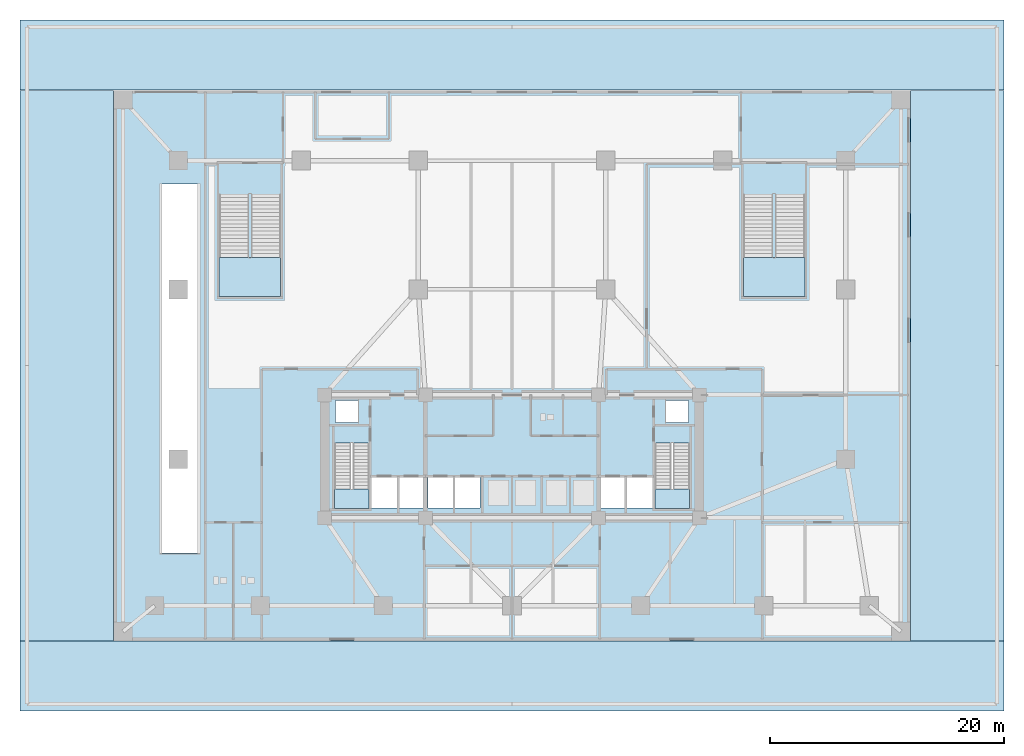
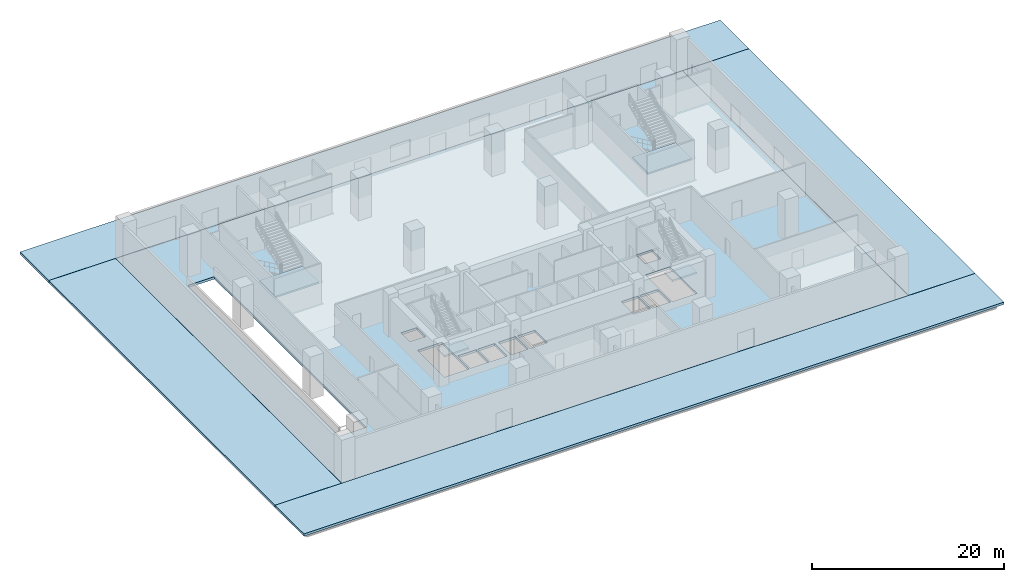
# One storey, part 2 of 15: 9 slabs, 4 elements without a shape of their own.
"""IFC4 building model written with IfcOpenShell, lengths in metres."""

from ifc_helpers import new_model, si_unit, direction, frame, origin, place, context, subcontext, project, spatial, polyline, outline, extrude, material, layer, layer_set, type_object, element, aggregate, save


model = new_model("IFC4")

# Units and contexts
model_context = context("Model", 3, precision=1e-05, world=origin(), true_north=direction((0.0, 1.0)))
body_context = subcontext(model_context, "Body", "Model", "MODEL_VIEW")
ifc_project = project(units=[si_unit("LENGTHUNIT", "METRE"), si_unit("AREAUNIT", "SQUARE_METRE"), si_unit("VOLUMEUNIT", "CUBIC_METRE"), si_unit("PLANEANGLEUNIT", "RADIAN"), si_unit("MASSUNIT", "GRAM", prefix="KILO")], contexts=[model_context])

# Site, building, storey
site_placement = place(None, origin())
site = spatial("IfcSite", under=ifc_project, at=site_placement, CompositionType="ELEMENT")
building_placement = place(site_placement, origin())
building = spatial("IfcBuilding", under=site, at=building_placement, Name="Solmavex Isthmus Hotel", CompositionType="ELEMENT")
storey_placement = place(building_placement, origin())
storey = spatial("IfcBuildingStorey", under=building, at=storey_placement, Name="L01", CompositionType="ELEMENT", Elevation=0.0)

# Slabs
ifc_material = material(Name="Concrete C40/50", Category="concrete")
ifc_layer_1 = layer(ifc_material, 0.300048828125)
ifc_layer_set_1 = layer_set([ifc_layer_1], Name="Concrete C40/50")
slab_type_1 = type_object("IfcSlabType", Name="SLAB-APRON-300", PredefinedType="FLOOR", material=ifc_layer_set_1)
slab_1_placement = place(storey_placement, frame((0.0, 0.0, -0.300048828125)))
element("IfcSlab", 1, at=slab_1_placement, inside=storey, type_object=slab_type_1, Name="Arrival Plaza Paving Slab N", PredefinedType="FLOOR", context=body_context, shape_type="SweptSolid", body=[
    extrude(outline(polyline([(-42.0, 23.510009765625), (42.0, 23.510009765625), (42.0, 29.5), (-42.0, 29.5), (-42.0, 23.510009765625)])), origin(), (0.0, 0.0, 1.0), 0.300048828125),
])
slab_2_placement = place(storey_placement, frame((0.0, 0.0, -0.300048828125)))
element("IfcSlab", 2, at=slab_2_placement, inside=storey, type_object=slab_type_1, Name="Arrival Plaza Paving Slab S", PredefinedType="FLOOR", context=body_context, shape_type="SweptSolid", body=[
    extrude(outline(polyline([(-42.0, -29.5), (42.0, -29.5), (42.0, -23.510009765625), (-42.0, -23.510009765625), (-42.0, -29.5)])), origin(), (0.0, 0.0, 1.0), 0.300048828125),
])
slab_3_placement = place(storey_placement, frame((0.0, 0.0, -0.300048828125)))
element("IfcSlab", 3, at=slab_3_placement, inside=storey, type_object=slab_type_1, Name="Arrival Plaza Paving Slab W", PredefinedType="FLOOR", context=body_context, shape_type="SweptSolid", body=[
    extrude(outline(polyline([(-42.0, -23.5), (-34.010009765625, -23.5), (-34.010009765625, 23.5), (-42.0, 23.5), (-42.0, -23.5)])), origin(), (0.0, 0.0, 1.0), 0.300048828125),
])
slab_4_placement = place(storey_placement, frame((0.0, 0.0, -0.300048828125)))
element("IfcSlab", 4, at=slab_4_placement, inside=storey, type_object=slab_type_1, Name="Arrival Plaza Paving Slab E", PredefinedType="FLOOR", context=body_context, shape_type="SweptSolid", body=[
    extrude(outline(polyline([(34.010009765625, -23.5), (42.0, -23.5), (42.0, 23.5), (34.010009765625, 23.5), (34.010009765625, -23.5)])), origin(), (0.0, 0.0, 1.0), 0.300048828125),
])
ifc_layer_2 = layer(ifc_material, 0.300048828125)
ifc_layer_set_2 = layer_set([ifc_layer_2], Name="Concrete C40/50")
slab_type_2 = type_object("IfcSlabType", Name="SLAB-POD-300", PredefinedType="FLOOR", material=ifc_layer_set_2)
slab_5_placement = place(storey_placement, frame((0.0, 0.0, -0.300048828125)))
element("IfcSlab", 5, at=slab_5_placement, inside=storey, type_object=slab_type_2, Name="Podium Floor Slab L01", PredefinedType="FLOOR", context=body_context, shape_type="SweptSolid", body=[
    extrude(outline(polyline([(-34.0, -23.5), (34.0, -23.5), (34.0, 23.5), (-34.0, 23.5), (-34.0, -23.5)]), holes=[polyline([(-15.14990234375, -6.617919921875), (-15.14990234375, -12.199951171875), (-12.199951171875, -12.199951171875), (-12.199951171875, -6.617919921875), (-15.14990234375, -6.617919921875)]), polyline([(12.199951171875, -6.617919921875), (12.199951171875, -12.199951171875), (15.14990234375, -12.199951171875), (15.14990234375, -6.617919921875), (12.199951171875, -6.617919921875)]), polyline([(-12.0, -12.14990234375), (-9.800048828125, -12.14990234375), (-9.800048828125, -9.550048828125), (-12.0, -9.550048828125), (-12.0, -12.14990234375)]), polyline([(9.800048828125, -12.14990234375), (12.0, -12.14990234375), (12.0, -9.550048828125), (9.800048828125, -9.550048828125), (9.800048828125, -12.14990234375)]), polyline([(-9.60009765625, -12.14990234375), (-7.60009765625, -12.14990234375), (-7.60009765625, -9.550048828125), (-9.60009765625, -9.550048828125), (-9.60009765625, -12.14990234375)]), polyline([(7.60009765625, -12.14990234375), (9.60009765625, -12.14990234375), (9.60009765625, -9.550048828125), (7.60009765625, -9.550048828125), (7.60009765625, -12.14990234375)]), polyline([(-7.14990234375, -12.14990234375), (-5.050048828125, -12.14990234375), (-5.050048828125, -9.550048828125), (-7.14990234375, -9.550048828125), (-7.14990234375, -12.14990234375)]), polyline([(-4.85009765625, -12.14990234375), (-2.75, -12.14990234375), (-2.75, -9.550048828125), (-4.85009765625, -9.550048828125), (-4.85009765625, -12.14990234375)]), polyline([(-29.949951171875, -16.0), (-26.75, -16.0), (-26.75, 15.5), (-29.949951171875, 15.5), (-29.949951171875, -16.0)]), polyline([(-15.050048828125, -4.85009765625), (-13.14990234375, -4.85009765625), (-13.14990234375, -3.0), (-15.050048828125, -3.0), (-15.050048828125, -4.85009765625)]), polyline([(13.14990234375, -4.85009765625), (15.050048828125, -4.85009765625), (15.050048828125, -3.0), (13.14990234375, -3.0), (13.14990234375, -4.85009765625)])]), origin(), (0.0, 0.0, 1.0), 0.300048828125),
])

# Stair, slab
stair_type_1 = type_object("IfcStairType", Name="STR-ST-1", PredefinedType="HALF_TURN_STAIR", material=ifc_material)
stair_1_placement = place(storey_placement, origin())
stair_1 = element("IfcStair", 6, at=stair_1_placement, inside=storey, type_object=stair_type_1, Name="L01 Protected Exit Stair ST-1", PredefinedType="HALF_TURN_STAIR")
ifc_layer_3 = layer(ifc_material, 0.219970703125)
ifc_layer_set_3 = layer_set([ifc_layer_3], Name="Concrete C40/50")
slab_type_3 = type_object("IfcSlabType", Name="SLD-ST-1", PredefinedType="LANDING", material=ifc_layer_set_3)
slab_6_placement = place(storey_placement, frame((0.0, 0.0, 2.5)))
slab_6 = element("IfcSlab", 7, at=slab_6_placement, type_object=slab_type_3, Name="ST-1 landing 1", PredefinedType="LANDING", context=body_context, shape_type="SweptSolid", body=[
    extrude(outline(polyline([(-15.14990234375, -10.52001953125), (-15.14990234375, -12.199951171875), (-12.199951171875, -12.199951171875), (-12.199951171875, -10.52001953125), (-15.14990234375, -10.52001953125)])), origin(), (0.0, 0.0, 1.0), 0.199951171875),
])
aggregate(stair_1, [slab_6])

stair_type_2 = type_object("IfcStairType", Name="STR-ST-2", PredefinedType="HALF_TURN_STAIR", material=ifc_material)
stair_2_placement = place(storey_placement, origin())
stair_2 = element("IfcStair", 8, at=stair_2_placement, inside=storey, type_object=stair_type_2, Name="L01 Protected Exit Stair ST-2", PredefinedType="HALF_TURN_STAIR")
ifc_layer_4 = layer(ifc_material, 0.219970703125)
ifc_layer_set_4 = layer_set([ifc_layer_4], Name="Concrete C40/50")
slab_type_4 = type_object("IfcSlabType", Name="SLD-ST-2", PredefinedType="LANDING", material=ifc_layer_set_4)
slab_7_placement = place(storey_placement, frame((0.0, 0.0, 2.5)))
slab_7 = element("IfcSlab", 9, at=slab_7_placement, type_object=slab_type_4, Name="ST-2 landing 1", PredefinedType="LANDING", context=body_context, shape_type="SweptSolid", body=[
    extrude(outline(polyline([(12.199951171875, -10.52001953125), (12.199951171875, -12.199951171875), (15.14990234375, -12.199951171875), (15.14990234375, -10.52001953125), (12.199951171875, -10.52001953125)])), origin(), (0.0, 0.0, 1.0), 0.199951171875),
])
aggregate(stair_2, [slab_7])

stair_type_3 = type_object("IfcStairType", Name="STR-ST-3", PredefinedType="HALF_TURN_STAIR", material=ifc_material)
stair_3_placement = place(storey_placement, origin())
stair_3 = element("IfcStair", 10, at=stair_3_placement, inside=storey, type_object=stair_type_3, Name="L01 Podium Assembly Exit Stair ST-3", PredefinedType="HALF_TURN_STAIR")
ifc_layer_5 = layer(ifc_material, 0.219970703125)
ifc_layer_set_5 = layer_set([ifc_layer_5], Name="Concrete C40/50")
slab_type_5 = type_object("IfcSlabType", Name="SLD-ST-3", PredefinedType="LANDING", material=ifc_layer_set_5)
slab_8_placement = place(storey_placement, frame((0.0, 0.0, 2.5)))
slab_8 = element("IfcSlab", 11, at=slab_8_placement, type_object=slab_type_5, Name="ST-3 landing 1", PredefinedType="LANDING", context=body_context, shape_type="SweptSolid", body=[
    extrude(outline(polyline([(19.75, 9.243896484375), (19.75, 5.89990234375), (25.0, 5.89990234375), (25.0, 9.243896484375), (19.75, 9.243896484375)])), origin(), (0.0, 0.0, 1.0), 0.199951171875),
])
aggregate(stair_3, [slab_8])

stair_type_4 = type_object("IfcStairType", Name="STR-ST-4", PredefinedType="HALF_TURN_STAIR", material=ifc_material)
stair_4_placement = place(storey_placement, origin())
stair_4 = element("IfcStair", 12, at=stair_4_placement, inside=storey, type_object=stair_type_4, Name="L01 Podium Assembly Exit Stair ST-4", PredefinedType="HALF_TURN_STAIR")
ifc_layer_6 = layer(ifc_material, 0.219970703125)
ifc_layer_set_6 = layer_set([ifc_layer_6], Name="Concrete C40/50")
slab_type_6 = type_object("IfcSlabType", Name="SLD-ST-4", PredefinedType="LANDING", material=ifc_layer_set_6)
slab_9_placement = place(storey_placement, frame((0.0, 0.0, 2.5)))
slab_9 = element("IfcSlab", 13, at=slab_9_placement, type_object=slab_type_6, Name="ST-4 landing 1", PredefinedType="LANDING", context=body_context, shape_type="SweptSolid", body=[
    extrude(outline(polyline([(-25.0, 9.243896484375), (-25.0, 5.89990234375), (-19.75, 5.89990234375), (-19.75, 9.243896484375), (-25.0, 9.243896484375)])), origin(), (0.0, 0.0, 1.0), 0.199951171875),
])
aggregate(stair_4, [slab_9])

save(model, "model.ifc")
